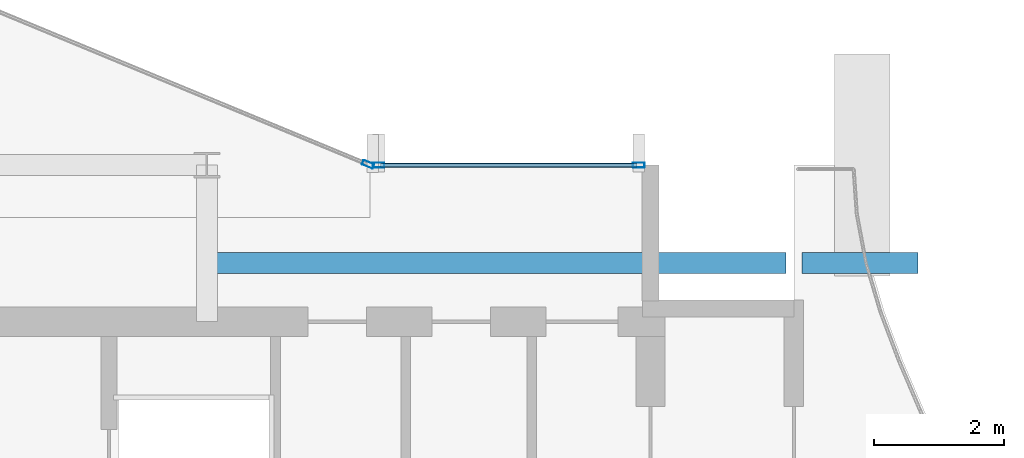
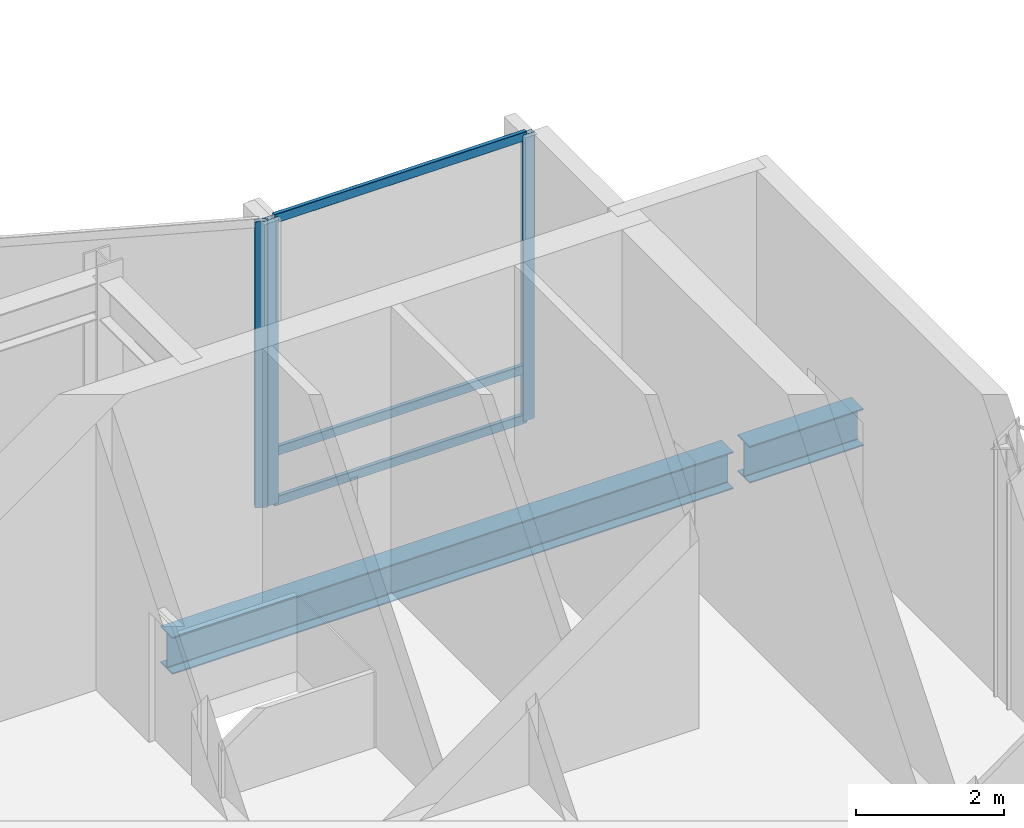
# One storey, part 13 of 23: 6 members, 2 beams, 2 elements without a shape of their own.
"""IFC4 building model written with IfcOpenShell, lengths in metres."""

from ifc_helpers import new_model, si_unit, direction, frame, origin, origin_2d, place, context, subcontext, project, spatial, hollow_rectangle, i_section, extrude, material, layer, layer_set, material_profile, profile_set, type_object, element, aggregate, save


model = new_model("IFC4")

# Units and contexts
model_context = context("Model", 3, precision=1e-05, world=origin(), true_north=direction((0.0, 1.0)))
body_context = subcontext(model_context, "Body", "Model", "MODEL_VIEW")
ifc_project = project(units=[si_unit("LENGTHUNIT", "METRE"), si_unit("AREAUNIT", "SQUARE_METRE"), si_unit("VOLUMEUNIT", "CUBIC_METRE"), si_unit("PLANEANGLEUNIT", "RADIAN"), si_unit("MASSUNIT", "GRAM", prefix="KILO")], contexts=[model_context])

# Site, building, storey
site_placement = place(None, origin())
site = spatial("IfcSite", under=ifc_project, at=site_placement, CompositionType="ELEMENT")
building_placement = place(site_placement, origin())
building = spatial("IfcBuilding", under=site, at=building_placement, Name="Solvaryn Broadcast Tower", CompositionType="ELEMENT")
storey_placement = place(building_placement, frame((0.0, 0.0, 235.800048828125)))
storey = spatial("IfcBuildingStorey", under=building, at=storey_placement, Name="L59", CompositionType="ELEMENT", Elevation=235.800048828125)

# Beams
ifc_material_1 = material(Name="Steel ASTM A992 Grade 50", Category="steel")
ifc_material_profile_1 = material_profile(ifc_material_1, i_section(OverallWidth=0.323974609375, OverallDepth=0.611083984375, WebThickness=0.0126953125, FlangeThickness=0.01904296875, FilletRadius=0.014892578125, at=origin_2d()))
ifc_profile_set_1 = profile_set([ifc_material_profile_1], Name="Steel ASTM A992 Grade 50")
beam_type_1 = type_object("IfcBeamType", Name="BM-B1-W24X104", PredefinedType="BEAM", material=ifc_profile_set_1)
beam_1_placement = place(storey_placement, frame((36.125, 25.5, -0.635498046875), z_axis=(1.0, 0.0, 0.0), x_axis=(0.0, 1.0, 0.0)))
element("IfcBeam", 1, at=beam_1_placement, inside=storey, type_object=beam_type_1, Name="L59 East Terrace Back-Span Beam Y25.5", PredefinedType="BEAM", context=body_context, shape_type="SweptSolid", body=[
    extrude(i_section(OverallWidth=0.323974609375, OverallDepth=0.611083984375, WebThickness=0.0126953125, FlangeThickness=0.01904296875, FilletRadius=0.014892578125, at=origin_2d()), origin(), (0.0, 0.0, 1.0), 8.75),
])
ifc_material_2 = material(Name="Steel ASTM A992 Grade 50", Category="steel")
ifc_material_profile_2 = material_profile(ifc_material_2, i_section(OverallWidth=0.323974609375, OverallDepth=0.611083984375, WebThickness=0.0126953125, FlangeThickness=0.01904296875, FilletRadius=0.014892578125, at=origin_2d()))
ifc_profile_set_2 = profile_set([ifc_material_profile_2], Name="Steel ASTM A992 Grade 50")
beam_type_2 = type_object("IfcBeamType", Name="BM-CANT-TER", PredefinedType="BEAM", material=ifc_profile_set_2)
beam_2_placement = place(storey_placement, frame((45.125, 25.5, -0.635498046875), z_axis=(1.0, 0.0, 0.0), x_axis=(0.0, 1.0, 0.0)))
element("IfcBeam", 2, at=beam_2_placement, inside=storey, type_object=beam_type_2, Name="L59 East Terrace Cantilever Beam Y25.5", PredefinedType="BEAM", context=body_context, shape_type="SweptSolid", body=[
    extrude(i_section(OverallWidth=0.323974609375, OverallDepth=0.611083984375, WebThickness=0.0126953125, FlangeThickness=0.01904296875, FilletRadius=0.014892578125, at=origin_2d()), origin(), (0.0, 0.0, 1.0), 1.77490234375),
])

# Curtain wall, member
ifc_material_3 = material(Name="Aluminium and Terracotta Unitised Curtain Wall", Category="masonry")
ifc_layer = layer(ifc_material_3, 0.25)
ifc_layer_set = layer_set([ifc_layer], Name="CW-SYS4-SKYGARDEN")
curtain_wall_type = type_object("IfcCurtainWallType", Name="CW-SYS4-SKYGARDEN", PredefinedType="NOTDEFINED", material=ifc_layer_set)
curtain_wall_1_placement = place(storey_placement, origin())
curtain_wall_1 = element("IfcCurtainWall", 3, at=curtain_wall_1_placement, inside=storey, type_object=curtain_wall_type, Name="L59 Curtain Wall CN1", PredefinedType="NOTDEFINED")
ifc_material_4 = material(Name="Anodised Aluminium 6063-T6", Category="aluminium")
ifc_material_profile_3 = material_profile(ifc_material_4, hollow_rectangle(XDim=0.074951171875, YDim=0.179931640625, WallThickness=0.00390625, InnerFilletRadius=0.00390625, OuterFilletRadius=0.008056640625, at=origin_2d()))
ifc_profile_set_3 = profile_set([ifc_material_profile_3], Name="Anodised Aluminium 6063-T6")
member_type_1 = type_object("IfcMemberType", Name="CW-MUL-180", PredefinedType="MULLION", material=ifc_profile_set_3)
member_1_placement = place(storey_placement, frame((38.47216796875, 27.011474609375, 0.0), z_axis=(0.0, 0.0, 1.0), x_axis=(-0.382646127145, -0.923894983957, 0.0)))
member_1 = element("IfcMember", 4, at=member_1_placement, type_object=member_type_1, Name="CWS4 mullion 1", PredefinedType="MULLION", context=body_context, shape_type="SweptSolid", body=[
    extrude(hollow_rectangle(XDim=0.074951171875, YDim=0.179931640625, WallThickness=0.00390625, InnerFilletRadius=0.00390625, OuterFilletRadius=0.008056640625, at=origin_2d()), origin(), (0.0, 0.0, 1.0), 4.719970703125),
])
aggregate(curtain_wall_1, [member_1])

# Curtain wall, members
curtain_wall_2_placement = place(storey_placement, origin())
curtain_wall_2 = element("IfcCurtainWall", 5, at=curtain_wall_2_placement, inside=storey, type_object=curtain_wall_type, Name="L59 Curtain Wall IH", PredefinedType="NOTDEFINED")
member_2_placement = place(storey_placement, frame((38.6298828125, 27.0, 0.0), z_axis=(0.0, 0.0, 1.0), x_axis=(0.0, 1.0, 0.0)))
member_2 = element("IfcMember", 6, at=member_2_placement, type_object=member_type_1, Name="CWS4 mullion 1", PredefinedType="MULLION", context=body_context, shape_type="SweptSolid", body=[
    extrude(hollow_rectangle(XDim=0.074951171875, YDim=0.179931640625, WallThickness=0.00390625, InnerFilletRadius=0.00390625, OuterFilletRadius=0.008056640625, at=origin_2d()), origin(), (0.0, 0.0, 1.0), 4.719970703125),
])
member_3_placement = place(storey_placement, frame((42.6201171875, 27.0, 0.0), z_axis=(0.0, 0.0, 1.0), x_axis=(0.0, 1.0, 0.0)))
member_3 = element("IfcMember", 7, at=member_3_placement, type_object=member_type_1, Name="CWS4 mullion 2", PredefinedType="MULLION", context=body_context, shape_type="SweptSolid", body=[
    extrude(hollow_rectangle(XDim=0.074951171875, YDim=0.179931640625, WallThickness=0.00390625, InnerFilletRadius=0.00390625, OuterFilletRadius=0.008056640625, at=origin_2d()), origin(), (0.0, 0.0, 1.0), 4.719970703125),
])
ifc_material_5 = material(Name="Anodised Aluminium 6063-T6", Category="aluminium")
ifc_material_profile_4 = material_profile(ifc_material_5, hollow_rectangle(XDim=0.06494140625, YDim=0.14990234375, WallThickness=0.00390625, InnerFilletRadius=0.00390625, OuterFilletRadius=0.008056640625, at=origin_2d()))
ifc_profile_set_4 = profile_set([ifc_material_profile_4], Name="Anodised Aluminium 6063-T6")
member_type_2 = type_object("IfcMemberType", Name="CW-TRN-150", PredefinedType="USERDEFINED", material=ifc_profile_set_4)
member_4_placement = place(storey_placement, frame((38.659912109375, 27.0, 0.030029296875), z_axis=(1.0, 0.0, 0.0), x_axis=(0.0, 1.0, 0.0)))
member_4 = element("IfcMember", 8, at=member_4_placement, type_object=member_type_2, Name="CWS4 transom 1.1", ObjectType="TRANSOM", PredefinedType="USERDEFINED", context=body_context, shape_type="SweptSolid", body=[
    extrude(hollow_rectangle(XDim=0.06494140625, YDim=0.14990234375, WallThickness=0.00390625, InnerFilletRadius=0.00390625, OuterFilletRadius=0.008056640625, at=origin_2d()), origin(), (0.0, 0.0, 1.0), 3.93017578125),
])
member_5_placement = place(storey_placement, frame((38.659912109375, 27.0, 0.849853515625), z_axis=(1.0, 0.0, 0.0), x_axis=(0.0, 1.0, 0.0)))
member_5 = element("IfcMember", 9, at=member_5_placement, type_object=member_type_2, Name="CWS4 transom 1.2", ObjectType="TRANSOM", PredefinedType="USERDEFINED", context=body_context, shape_type="SweptSolid", body=[
    extrude(hollow_rectangle(XDim=0.06494140625, YDim=0.14990234375, WallThickness=0.00390625, InnerFilletRadius=0.00390625, OuterFilletRadius=0.008056640625, at=origin_2d()), origin(), (0.0, 0.0, 1.0), 3.93017578125),
])
member_6_placement = place(storey_placement, frame((38.659912109375, 27.0, 4.68994140625), z_axis=(1.0, 0.0, 0.0), x_axis=(0.0, 1.0, 0.0)))
member_6 = element("IfcMember", 10, at=member_6_placement, type_object=member_type_2, Name="CWS4 transom 1.3", ObjectType="TRANSOM", PredefinedType="USERDEFINED", context=body_context, shape_type="SweptSolid", body=[
    extrude(hollow_rectangle(XDim=0.06494140625, YDim=0.14990234375, WallThickness=0.00390625, InnerFilletRadius=0.00390625, OuterFilletRadius=0.008056640625, at=origin_2d()), origin(), (0.0, 0.0, 1.0), 3.93017578125),
])
aggregate(curtain_wall_2, [member_2, member_3, member_4, member_5, member_6])

save(model, "model.ifc")
